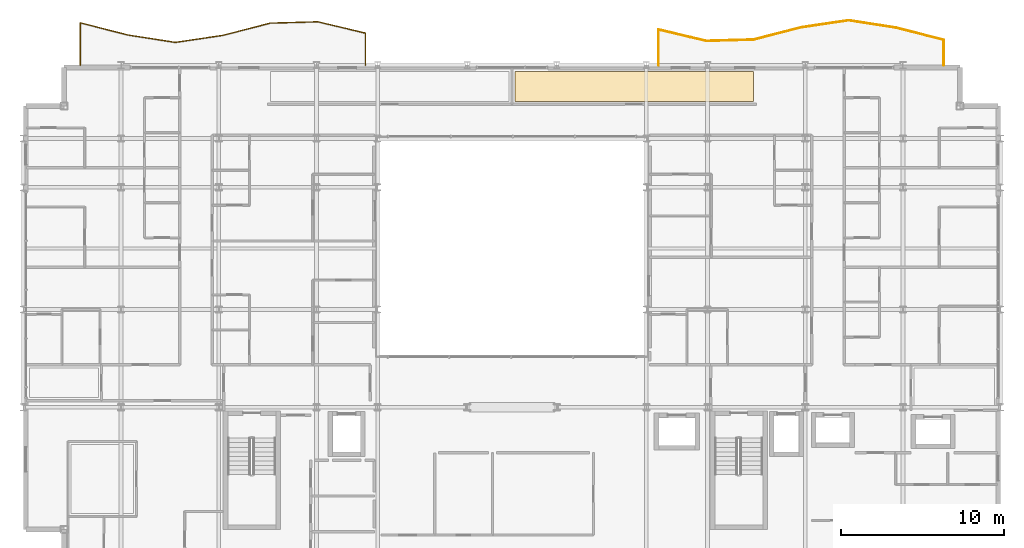
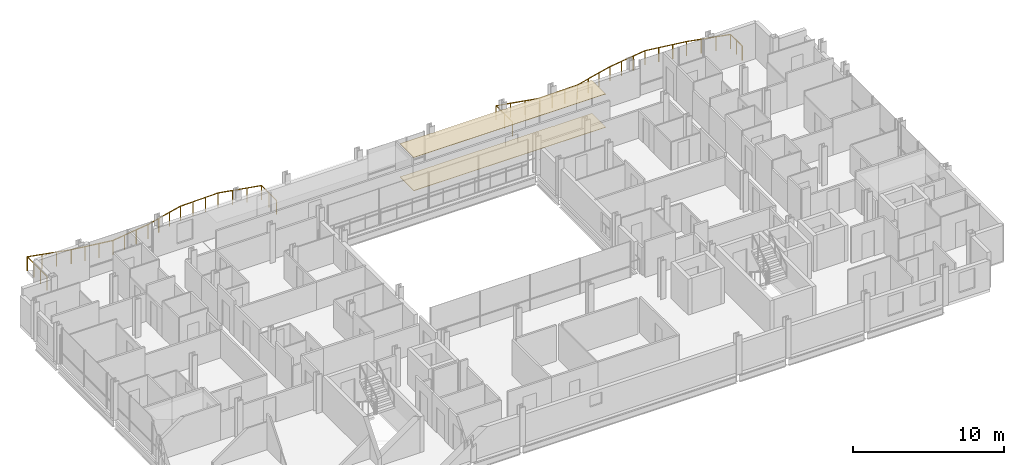
# One storey, part 41 of 41: 2 coverings, 2 railings.
"""IFC4 building model written with IfcOpenShell, lengths in metres."""

from ifc_helpers import new_model, si_unit, direction, frame, origin, origin_2d, place, context, subcontext, project, spatial, polyline, circle, outline, extrude, material, layer, layer_set, type_object, element, save


model = new_model("IFC4")

# Units and contexts
model_context = context("Model", 3, precision=1e-05, world=origin(), true_north=direction((0.0, 1.0)))
body_context = subcontext(model_context, "Body", "Model", "MODEL_VIEW")
ifc_project = project(units=[si_unit("LENGTHUNIT", "METRE"), si_unit("AREAUNIT", "SQUARE_METRE"), si_unit("VOLUMEUNIT", "CUBIC_METRE"), si_unit("PLANEANGLEUNIT", "RADIAN"), si_unit("MASSUNIT", "GRAM", prefix="KILO")], contexts=[model_context])

# Site, building, storey
site_placement = place(None, origin())
site = spatial("IfcSite", under=ifc_project, at=site_placement, CompositionType="ELEMENT")
building_placement = place(site_placement, origin())
building = spatial("IfcBuilding", under=site, at=building_placement, Name="Brevholm Reach", CompositionType="ELEMENT")
storey_placement = place(building_placement, frame((0.0, 0.0, 106.60009765625)))
storey = spatial("IfcBuildingStorey", under=building, at=storey_placement, Name="L31", CompositionType="ELEMENT", Elevation=106.60009765625)

# Coverings
ifc_material_1 = material(Name="Moisture-Resistant Skimmed Gypsum Plasterboard Ceiling", Category="gypsum")
ifc_layer_1 = layer(ifc_material_1, 0.030029296875)
ifc_layer_set_1 = layer_set([ifc_layer_1], Name="Moisture-Resistant Skimmed Gypsum Plasterboard Ceiling")
covering_type_1 = type_object("IfcCoveringType", Name="COV-CLG-GYP", PredefinedType="CEILING", material=ifc_layer_set_1)
covering_1_placement = place(storey_placement, frame((0.0, 0.0, 2.679931640625)))
element("IfcCovering", 1, at=covering_1_placement, inside=storey, type_object=covering_type_1, Name="L31 Suspended Ceiling L31-81", PredefinedType="CEILING", context=body_context, shape_type="SweptSolid", body=[
    extrude(outline(polyline([(32.626220703125, 30.6201171875), (32.6337890625, 30.6171875), (32.672119140625, 30.607666015625), (32.710693359375, 30.601806640625), (32.75, 30.60009765625), (32.789306640625, 30.601806640625), (32.827880859375, 30.607666015625), (32.8662109375, 30.6171875), (32.873779296875, 30.6201171875), (38.126220703125, 30.6201171875), (38.1337890625, 30.6171875), (38.172119140625, 30.607666015625), (38.210693359375, 30.601806640625), (38.25, 30.60009765625), (38.289306640625, 30.601806640625), (38.327880859375, 30.607666015625), (38.3662109375, 30.6171875), (38.373779296875, 30.6201171875), (41.876220703125, 30.6201171875), (41.8837890625, 30.6171875), (41.922119140625, 30.607666015625), (41.960693359375, 30.601806640625), (42.0, 30.60009765625), (42.039306640625, 30.601806640625), (42.077880859375, 30.607666015625), (42.1162109375, 30.6171875), (42.123779296875, 30.6201171875), (44.820068359375, 30.6201171875), (44.820068359375, 28.783935546875), (30.18408203125, 28.783935546875), (30.18408203125, 30.6201171875), (32.626220703125, 30.6201171875)])), origin(), (0.0, 0.0, 1.0), 0.030029296875),
])
ifc_material_2 = material(Name="Honed Portland-Aggregate Resin Terrazzo Flooring", Category="concrete")
ifc_layer_2 = layer(ifc_material_2, 0.031982421875)
ifc_layer_set_2 = layer_set([ifc_layer_2], Name="Honed Portland-Aggregate Resin Terrazzo Flooring")
covering_type_2 = type_object("IfcCoveringType", Name="COV-FLR-TRZ", PredefinedType="FLOORING", material=ifc_layer_set_2)
covering_2_placement = place(storey_placement, origin())
element("IfcCovering", 2, at=covering_2_placement, inside=storey, type_object=covering_type_2, Name="L31 Floor Finish L31-81", PredefinedType="FLOORING", context=body_context, shape_type="SweptSolid", body=[
    extrude(outline(polyline([(32.626220703125, 30.6201171875), (32.6337890625, 30.6171875), (32.672119140625, 30.607666015625), (32.710693359375, 30.601806640625), (32.75, 30.60009765625), (32.789306640625, 30.601806640625), (32.827880859375, 30.607666015625), (32.8662109375, 30.6171875), (32.873779296875, 30.6201171875), (38.126220703125, 30.6201171875), (38.1337890625, 30.6171875), (38.172119140625, 30.607666015625), (38.210693359375, 30.601806640625), (38.25, 30.60009765625), (38.289306640625, 30.601806640625), (38.327880859375, 30.607666015625), (38.3662109375, 30.6171875), (38.373779296875, 30.6201171875), (41.876220703125, 30.6201171875), (41.8837890625, 30.6171875), (41.922119140625, 30.607666015625), (41.960693359375, 30.601806640625), (42.0, 30.60009765625), (42.039306640625, 30.601806640625), (42.077880859375, 30.607666015625), (42.1162109375, 30.6171875), (42.123779296875, 30.6201171875), (44.820068359375, 30.6201171875), (44.820068359375, 28.783935546875), (30.18408203125, 28.783935546875), (30.18408203125, 30.6201171875), (32.626220703125, 30.6201171875)])), origin(), (0.0, 0.0, 1.0), 0.031982421875),
])

# Railings
ifc_material_3 = material(Name="Brushed Stainless Steel EN 1.4401 and Laminated Glass", Category="steel")
railing_type = type_object("IfcRailingType", Name="RAL-BALC-1150", PredefinedType="BALUSTRADE", material=ifc_material_3)
railing_1_placement = place(storey_placement, frame((56.5, 31.0, 0.0)))
element("IfcRailing", 3, at=railing_1_placement, inside=storey, type_object=railing_type, Name="L31 Guard Balustrade RAL-L31-BAL-NE", PredefinedType="BALUSTRADE", context=body_context, shape_type="SweptSolid", body=[
    extrude(circle(Radius=0.02392578125, at=origin_2d()), frame((0.0, 0.0, 1.1259765625), z_axis=(0.0, 1.0, 0.0), x_axis=(-1.0, 0.0, 0.0)), (0.0, 0.0, 1.0), 1.55029296875),
    extrude(circle(Radius=0.02392578125, at=origin_2d()), frame((0.0, 1.55029296875, 1.1259765625), z_axis=(-0.968923500885, 0.24736056564, 0.0), x_axis=(-0.24736056564, -0.968923500885, 0.0)), (0.0, 0.0, 1.0), 3.01025390625),
    extrude(circle(Radius=0.02392578125, at=origin_2d()), frame((-2.916748046875, 2.294921875, 1.1259765625), z_axis=(-0.988044338858, 0.154169985571, 0.0), x_axis=(-0.154169985571, -0.988044338858, 0.0)), (0.0, 0.0, 1.0), 2.951904296875),
    extrude(circle(Radius=0.02392578125, at=origin_2d()), frame((-5.833251953125, 2.75, 1.1259765625), z_axis=(-0.989154508095, -0.146878722471, 0.0), x_axis=(0.146878722471, -0.989154508095, 0.0)), (0.0, 0.0, 1.0), 2.94873046875),
    extrude(circle(Radius=0.02392578125, at=origin_2d()), frame((-8.75, 2.31689453125, 1.1259765625), z_axis=(-0.968396782901, -0.249414656482, 0.0), x_axis=(0.249414656482, -0.968396782901, 0.0)), (0.0, 0.0, 1.0), 3.011962890625),
    extrude(circle(Radius=0.02392578125, at=origin_2d()), frame((-11.666748046875, 1.565673828125, 1.1259765625), z_axis=(-0.999614033457, -0.027781002771, 0.0), x_axis=(0.027781002771, -0.999614033457, 0.0)), (0.0, 0.0, 1.0), 2.917724609375),
    extrude(circle(Radius=0.02392578125, at=origin_2d()), frame((-14.583251953125, 1.484619140625, 1.1259765625), z_axis=(-0.972687280988, 0.232119480882, 0.0), x_axis=(-0.232119480882, -0.972687280988, 0.0)), (0.0, 0.0, 1.0), 2.99853515625),
    extrude(circle(Radius=0.02392578125, at=origin_2d()), frame((-17.5, 2.1806640625, 1.1259765625), z_axis=(0.0, -1.0, 0.0), x_axis=(1.0, 0.0, 0.0)), (0.0, 0.0, 1.0), 2.1806640625),
    extrude(circle(Radius=0.02099609375, at=origin_2d()), origin(), (0.0, 0.0, 1.0), 1.101806640625),
    extrude(circle(Radius=0.02099609375, at=origin_2d()), frame((0.0, 0.775146484375, 0.0)), (0.0, 0.0, 1.0), 1.101806640625),
    extrude(circle(Radius=0.02099609375, at=origin_2d()), frame((0.0, 1.55029296875, 0.0)), (0.0, 0.0, 1.0), 1.101806640625),
    extrude(circle(Radius=0.02099609375, at=origin_2d()), frame((-0.97216796875, 1.798583984375, 0.0)), (0.0, 0.0, 1.0), 1.101806640625),
    extrude(circle(Radius=0.02099609375, at=origin_2d()), frame((-1.944580078125, 2.046630859375, 0.0)), (0.0, 0.0, 1.0), 1.101806640625),
    extrude(circle(Radius=0.02099609375, at=origin_2d()), frame((-2.916748046875, 2.294921875, 0.0)), (0.0, 0.0, 1.0), 1.101806640625),
    extrude(circle(Radius=0.02099609375, at=origin_2d()), frame((-3.888916015625, 2.446533203125, 0.0)), (0.0, 0.0, 1.0), 1.101806640625),
    extrude(circle(Radius=0.02099609375, at=origin_2d()), frame((-4.861083984375, 2.598388671875, 0.0)), (0.0, 0.0, 1.0), 1.101806640625),
    extrude(circle(Radius=0.02099609375, at=origin_2d()), frame((-5.833251953125, 2.75, 0.0)), (0.0, 0.0, 1.0), 1.101806640625),
    extrude(circle(Radius=0.02099609375, at=origin_2d()), frame((-6.805419921875, 2.605712890625, 0.0)), (0.0, 0.0, 1.0), 1.101806640625),
    extrude(circle(Radius=0.02099609375, at=origin_2d()), frame((-7.77783203125, 2.461181640625, 0.0)), (0.0, 0.0, 1.0), 1.101806640625),
    extrude(circle(Radius=0.02099609375, at=origin_2d()), frame((-8.75, 2.31689453125, 0.0)), (0.0, 0.0, 1.0), 1.101806640625),
    extrude(circle(Radius=0.02099609375, at=origin_2d()), frame((-9.72216796875, 2.06640625, 0.0)), (0.0, 0.0, 1.0), 1.101806640625),
    extrude(circle(Radius=0.02099609375, at=origin_2d()), frame((-10.694580078125, 1.816162109375, 0.0)), (0.0, 0.0, 1.0), 1.101806640625),
    extrude(circle(Radius=0.02099609375, at=origin_2d()), frame((-11.666748046875, 1.565673828125, 0.0)), (0.0, 0.0, 1.0), 1.101806640625),
    extrude(circle(Radius=0.02099609375, at=origin_2d()), frame((-12.638916015625, 1.53857421875, 0.0)), (0.0, 0.0, 1.0), 1.101806640625),
    extrude(circle(Radius=0.02099609375, at=origin_2d()), frame((-13.611083984375, 1.51171875, 0.0)), (0.0, 0.0, 1.0), 1.101806640625),
    extrude(circle(Radius=0.02099609375, at=origin_2d()), frame((-14.583251953125, 1.484619140625, 0.0)), (0.0, 0.0, 1.0), 1.101806640625),
    extrude(circle(Radius=0.02099609375, at=origin_2d()), frame((-15.555419921875, 1.716552734375, 0.0)), (0.0, 0.0, 1.0), 1.101806640625),
    extrude(circle(Radius=0.02099609375, at=origin_2d()), frame((-16.52783203125, 1.94873046875, 0.0)), (0.0, 0.0, 1.0), 1.101806640625),
    extrude(circle(Radius=0.02099609375, at=origin_2d()), frame((-17.5, 2.1806640625, 0.0)), (0.0, 0.0, 1.0), 1.101806640625),
    extrude(circle(Radius=0.02099609375, at=origin_2d()), frame((-17.5, 1.09033203125, 0.0)), (0.0, 0.0, 1.0), 1.101806640625),
    extrude(circle(Radius=0.02099609375, at=origin_2d()), frame((-17.5, 0.0, 0.0)), (0.0, 0.0, 1.0), 1.101806640625),
])
railing_2_placement = place(storey_placement, frame((21.0, 31.0, 0.0)))
element("IfcRailing", 4, at=railing_2_placement, inside=storey, type_object=railing_type, Name="L31 Guard Balustrade RAL-L31-BAL-NW", PredefinedType="BALUSTRADE", context=body_context, shape_type="SweptSolid", body=[
    extrude(circle(Radius=0.02392578125, at=origin_2d()), frame((0.0, 0.0, 1.1259765625), z_axis=(0.0, 1.0, 0.0), x_axis=(-1.0, 0.0, 0.0)), (0.0, 0.0, 1.0), 1.969482421875),
    extrude(circle(Radius=0.02392578125, at=origin_2d()), frame((0.0, 1.969482421875, 1.1259765625), z_axis=(-0.972705660557, 0.23204244853, 0.0), x_axis=(-0.23204244853, -0.972705660557, 0.0)), (0.0, 0.0, 1.0), 2.99853515625),
    extrude(circle(Radius=0.02392578125, at=origin_2d()), frame((-2.916748046875, 2.665283203125, 1.1259765625), z_axis=(-0.99961635372, -0.027697389342, 0.0), x_axis=(0.027697389342, -0.99961635372, 0.0)), (0.0, 0.0, 1.0), 2.917724609375),
    extrude(circle(Radius=0.02392578125, at=origin_2d()), frame((-5.833251953125, 2.58447265625, 1.1259765625), z_axis=(-0.968377202247, -0.2494906695, 0.0), x_axis=(0.2494906695, -0.968377202247, 0.0)), (0.0, 0.0, 1.0), 3.011962890625),
    extrude(circle(Radius=0.02392578125, at=origin_2d()), frame((-8.75, 1.8330078125, 1.1259765625), z_axis=(-0.98916653389, -0.146797711943, 0.0), x_axis=(0.146797711943, -0.98916653389, 0.0)), (0.0, 0.0, 1.0), 2.94873046875),
    extrude(circle(Radius=0.02392578125, at=origin_2d()), frame((-11.666748046875, 1.400146484375, 1.1259765625), z_axis=(-0.988044338858, 0.154169985571, 0.0), x_axis=(-0.154169985571, -0.988044338858, 0.0)), (0.0, 0.0, 1.0), 2.951904296875),
    extrude(circle(Radius=0.02392578125, at=origin_2d()), frame((-14.583251953125, 1.855224609375, 1.1259765625), z_axis=(-0.968942936238, 0.247284423921, 0.0), x_axis=(-0.247284423921, -0.968942936238, 0.0)), (0.0, 0.0, 1.0), 3.01025390625),
    extrude(circle(Radius=0.02392578125, at=origin_2d()), frame((-17.5, 2.599609375, 1.1259765625), z_axis=(0.0, -1.0, 0.0), x_axis=(1.0, 0.0, 0.0)), (0.0, 0.0, 1.0), 2.599609375),
    extrude(circle(Radius=0.02099609375, at=origin_2d()), origin(), (0.0, 0.0, 1.0), 1.101806640625),
    extrude(circle(Radius=0.02099609375, at=origin_2d()), frame((0.0, 0.98486328125, 0.0)), (0.0, 0.0, 1.0), 1.101806640625),
    extrude(circle(Radius=0.02099609375, at=origin_2d()), frame((0.0, 1.969482421875, 0.0)), (0.0, 0.0, 1.0), 1.101806640625),
    extrude(circle(Radius=0.02099609375, at=origin_2d()), frame((-0.97216796875, 2.201416015625, 0.0)), (0.0, 0.0, 1.0), 1.101806640625),
    extrude(circle(Radius=0.02099609375, at=origin_2d()), frame((-1.944580078125, 2.433349609375, 0.0)), (0.0, 0.0, 1.0), 1.101806640625),
    extrude(circle(Radius=0.02099609375, at=origin_2d()), frame((-2.916748046875, 2.665283203125, 0.0)), (0.0, 0.0, 1.0), 1.101806640625),
    extrude(circle(Radius=0.02099609375, at=origin_2d()), frame((-3.888916015625, 2.638427734375, 0.0)), (0.0, 0.0, 1.0), 1.101806640625),
    extrude(circle(Radius=0.02099609375, at=origin_2d()), frame((-4.861083984375, 2.611328125, 0.0)), (0.0, 0.0, 1.0), 1.101806640625),
    extrude(circle(Radius=0.02099609375, at=origin_2d()), frame((-5.833251953125, 2.58447265625, 0.0)), (0.0, 0.0, 1.0), 1.101806640625),
    extrude(circle(Radius=0.02099609375, at=origin_2d()), frame((-6.805419921875, 2.333984375, 0.0)), (0.0, 0.0, 1.0), 1.101806640625),
    extrude(circle(Radius=0.02099609375, at=origin_2d()), frame((-7.77783203125, 2.08349609375, 0.0)), (0.0, 0.0, 1.0), 1.101806640625),
    extrude(circle(Radius=0.02099609375, at=origin_2d()), frame((-8.75, 1.8330078125, 0.0)), (0.0, 0.0, 1.0), 1.101806640625),
    extrude(circle(Radius=0.02099609375, at=origin_2d()), frame((-9.72216796875, 1.688720703125, 0.0)), (0.0, 0.0, 1.0), 1.101806640625),
    extrude(circle(Radius=0.02099609375, at=origin_2d()), frame((-10.694580078125, 1.54443359375, 0.0)), (0.0, 0.0, 1.0), 1.101806640625),
    extrude(circle(Radius=0.02099609375, at=origin_2d()), frame((-11.666748046875, 1.400146484375, 0.0)), (0.0, 0.0, 1.0), 1.101806640625),
    extrude(circle(Radius=0.02099609375, at=origin_2d()), frame((-12.638916015625, 1.5517578125, 0.0)), (0.0, 0.0, 1.0), 1.101806640625),
    extrude(circle(Radius=0.02099609375, at=origin_2d()), frame((-13.611083984375, 1.70361328125, 0.0)), (0.0, 0.0, 1.0), 1.101806640625),
    extrude(circle(Radius=0.02099609375, at=origin_2d()), frame((-14.583251953125, 1.855224609375, 0.0)), (0.0, 0.0, 1.0), 1.101806640625),
    extrude(circle(Radius=0.02099609375, at=origin_2d()), frame((-15.555419921875, 2.103271484375, 0.0)), (0.0, 0.0, 1.0), 1.101806640625),
    extrude(circle(Radius=0.02099609375, at=origin_2d()), frame((-16.52783203125, 2.3515625, 0.0)), (0.0, 0.0, 1.0), 1.101806640625),
    extrude(circle(Radius=0.02099609375, at=origin_2d()), frame((-17.5, 2.599609375, 0.0)), (0.0, 0.0, 1.0), 1.101806640625),
    extrude(circle(Radius=0.02099609375, at=origin_2d()), frame((-17.5, 1.733154296875, 0.0)), (0.0, 0.0, 1.0), 1.101806640625),
    extrude(circle(Radius=0.02099609375, at=origin_2d()), frame((-17.5, 0.866455078125, 0.0)), (0.0, 0.0, 1.0), 1.101806640625),
    extrude(circle(Radius=0.02099609375, at=origin_2d()), frame((-17.5, 0.0, 0.0)), (0.0, 0.0, 1.0), 1.101806640625),
])

save(model, "model.ifc")
